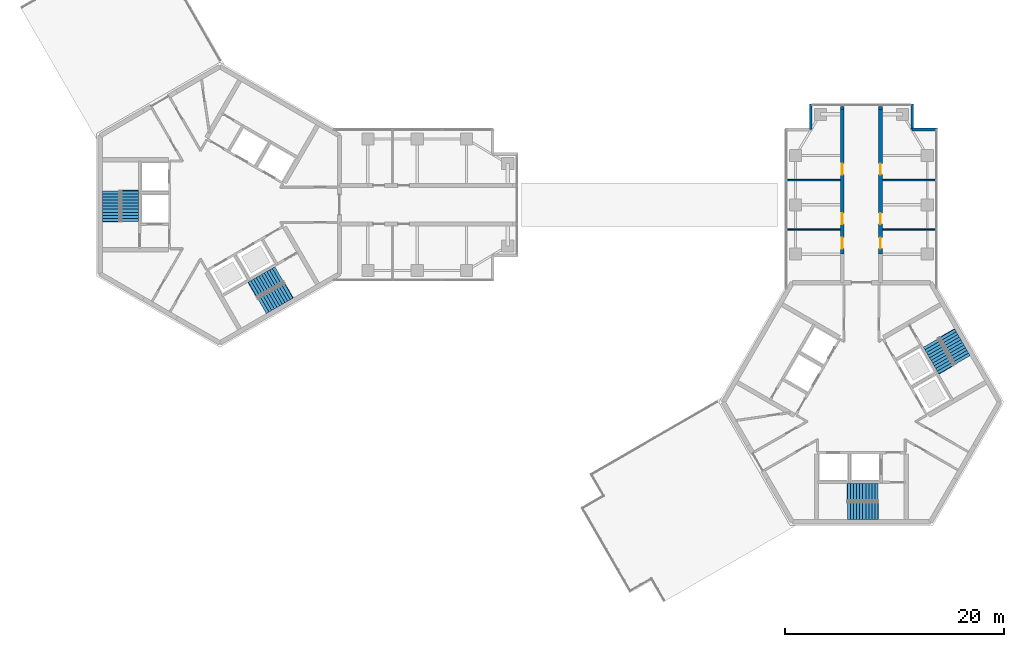
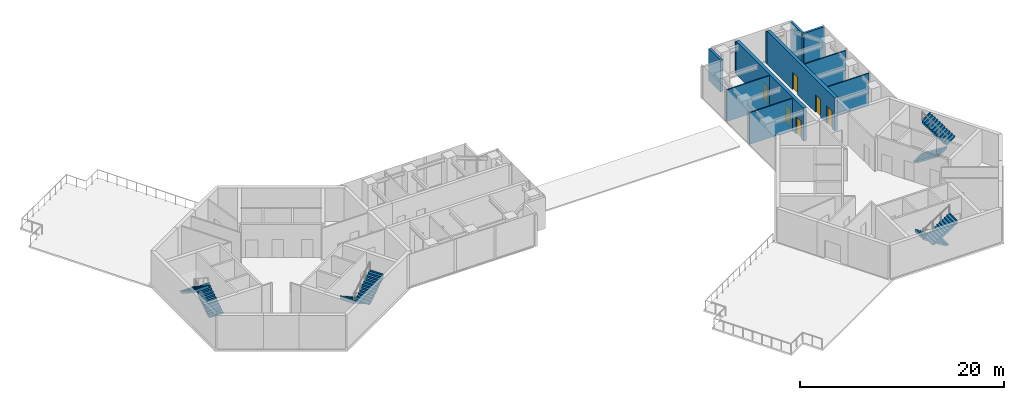
# One storey, part 9 of 11: 11 walls, 8 stair flights, 6 doors, 6 openings, 4 elements without a shape of their own.
"""IFC4 building model written with IfcOpenShell, lengths in metres."""

from ifc_helpers import new_model, si_unit, direction, frame, frame_2d, origin, place, context, subcontext, project, spatial, polyline, rectangle, outline, extrude, material, layer, layer_set, type_object, element, fill, aggregate, save


model = new_model("IFC4")

# Units and contexts
model_context = context("Model", 3, precision=1e-05, world=origin(), true_north=direction((0.0, 1.0)))
body_context = subcontext(model_context, "Body", "Model", "MODEL_VIEW")
ifc_project = project(units=[si_unit("LENGTHUNIT", "METRE"), si_unit("AREAUNIT", "SQUARE_METRE"), si_unit("VOLUMEUNIT", "CUBIC_METRE"), si_unit("PLANEANGLEUNIT", "RADIAN"), si_unit("MASSUNIT", "GRAM", prefix="KILO")], contexts=[model_context])

# Site, building, storey
site_placement = place(None, origin())
site = spatial("IfcSite", under=ifc_project, at=site_placement, CompositionType="ELEMENT")
building_placement = place(site_placement, origin())
building = spatial("IfcBuilding", under=site, at=building_placement, Name="Upepo Twin Towers", CompositionType="ELEMENT")
storey_placement = place(building_placement, frame((0.0, 0.0, 243.5)))
storey = spatial("IfcBuildingStorey", under=building, at=storey_placement, Name="L59", CompositionType="ELEMENT", Elevation=243.5)

# Walls
ifc_material_1 = material(Name="Dense concrete blockwork", Category="masonry")
ifc_layer_1 = layer(ifc_material_1, 0.35009765625)
ifc_layer_set_1 = layer_set([ifc_layer_1], Name="Buttress closer 350, blockwork with fire-stopping to the curtain wall")
wall_type_1 = type_object("IfcWallType", Name="Buttress closer 350, blockwork with fire-stopping to the curtain wall", PredefinedType="PARTITIONING", material=ifc_layer_set_1)
for number, where, z_axis, x_axis, name in (
    (1, (56.75, 8.699951171875, 0.0), (0.0, 0.0, 1.0), (0.0, 1.0, 0.0), "T2 L59 wing A buttress closer L"),
    (2, (60.25, 8.699951171875, 0.0), (0.0, 0.0, 1.0), (0.0, 1.0, 0.0), "T2 L59 wing A buttress closer R"),
):
    element("IfcWall", number, at=place(storey_placement, frame(where, z_axis=z_axis, x_axis=x_axis)), inside=storey, type_object=wall_type_1, Name=name, PredefinedType="PARTITIONING", context=body_context, shape_type="SweptSolid", body=[
        extrude(rectangle(XDim=0.275146484375, YDim=0.35009765625, at=frame_2d((0.1376953125, 0.0))), origin(), (0.0, 0.0, 1.0), 3.800048828125),
    ])

# Wall, openings, doors
ifc_material_2 = material(Name="Concrete C60/75", Category="concrete")
ifc_layer_2 = layer(ifc_material_2, 0.35009765625)
ifc_layer_set_2 = layer_set([ifc_layer_2], Name="Concrete C60/75")
wall_type_2 = type_object("IfcWallType", Name="Buttress wall 350 RC", PredefinedType="SHEAR", material=ifc_layer_set_2)
wall_1_placement = place(storey_placement, frame((56.75, -4.5, 0.0), z_axis=(0.0, 0.0, 1.0), x_axis=(0.0, 1.0, 0.0)))
wall_1 = element("IfcWall", 3, at=wall_1_placement, inside=storey, type_object=wall_type_2, Name="T2 wing A buttress wall L part 2", PredefinedType="SHEAR", context=body_context, shape_type="SweptSolid", body=[
    extrude(rectangle(XDim=13.199951171875, YDim=0.35009765625, at=frame_2d((6.60009765625, 0.0))), origin(), (0.0, 0.0, 1.0), 4.0),
])
opening_1_placement = place(wall_1_placement, frame((0.5, 0.0, 0.0)))
opening_1 = element("IfcOpeningElement", 4, at=opening_1_placement, cuts=wall_1, Name="Opening D15", PredefinedType="OPENING", context=body_context, shape_type="SweptSolid", body=[
    extrude(rectangle(XDim=1.0, YDim=2.10009765625, at=frame_2d((0.5, 1.050048828125))), frame((0.0, 0.18505859375, 0.0), z_axis=(0.0, -1.0, 0.0), x_axis=(1.0, 0.0, 0.0)), (0.0, 0.0, 1.0), 0.3701171875),
])
opening_2_placement = place(wall_1_placement, frame((2.75, 0.0, 0.0)))
opening_2 = element("IfcOpeningElement", 5, at=opening_2_placement, cuts=wall_1, Name="Opening D15", PredefinedType="OPENING", context=body_context, shape_type="SweptSolid", body=[
    extrude(rectangle(XDim=1.0, YDim=2.10009765625, at=frame_2d((0.5, 1.050048828125))), frame((0.0, 0.18505859375, 0.0), z_axis=(0.0, -1.0, 0.0), x_axis=(1.0, 0.0, 0.0)), (0.0, 0.0, 1.0), 0.3701171875),
])
opening_3_placement = place(wall_1_placement, frame((7.25, 0.0, 0.0)))
opening_3 = element("IfcOpeningElement", 6, at=opening_3_placement, cuts=wall_1, Name="Opening D15", PredefinedType="OPENING", context=body_context, shape_type="SweptSolid", body=[
    extrude(rectangle(XDim=1.0, YDim=2.10009765625, at=frame_2d((0.5, 1.050048828125))), frame((0.0, 0.18505859375, 0.0), z_axis=(0.0, -1.0, 0.0), x_axis=(1.0, 0.0, 0.0)), (0.0, 0.0, 1.0), 0.3701171875),
])
ifc_material_3 = material(Name="Timber doorset", Category="wood")
door_type = type_object("IfcDoorType", Name="Glazed door 1000 FD30", OperationType="SINGLE_SWING_LEFT", PredefinedType="DOOR", material=ifc_material_3)
door_1_placement = place(opening_1_placement, origin())
door_1 = element("IfcDoor", 7, at=door_1_placement, inside=storey, type_object=door_type, Name="T2 L59 faculty office door", OperationType="SINGLE_SWING_LEFT", OverallHeight=2.10009765625, OverallWidth=1.0, PredefinedType="DOOR", context=body_context, shape_type="SweptSolid", body=[
    extrude(rectangle(XDim=1.0, YDim=2.10009765625, at=frame_2d((0.5, 1.050048828125))), frame((0.0, 0.02490234375, 0.0), z_axis=(0.0, -1.0, 0.0), x_axis=(1.0, 0.0, 0.0)), (0.0, 0.0, 1.0), 0.050048828125),
])
fill(opening_1, door_1)
door_2_placement = place(opening_2_placement, origin())
door_2 = element("IfcDoor", 8, at=door_2_placement, inside=storey, type_object=door_type, Name="T2 L59 faculty office door", OperationType="SINGLE_SWING_LEFT", OverallHeight=2.10009765625, OverallWidth=1.0, PredefinedType="DOOR", context=body_context, shape_type="SweptSolid", body=[
    extrude(rectangle(XDim=1.0, YDim=2.10009765625, at=frame_2d((0.5, 1.050048828125))), frame((0.0, 0.02490234375, 0.0), z_axis=(0.0, -1.0, 0.0), x_axis=(1.0, 0.0, 0.0)), (0.0, 0.0, 1.0), 0.050048828125),
])
fill(opening_2, door_2)
door_3_placement = place(opening_3_placement, origin())
door_3 = element("IfcDoor", 9, at=door_3_placement, inside=storey, type_object=door_type, Name="T2 L59 faculty office door", OperationType="SINGLE_SWING_RIGHT", OverallHeight=2.10009765625, OverallWidth=1.0, PredefinedType="DOOR", context=body_context, shape_type="SweptSolid", body=[
    extrude(rectangle(XDim=1.0, YDim=2.10009765625, at=frame_2d((0.5, 1.050048828125))), frame((0.0, 0.02490234375, 0.0), z_axis=(0.0, -1.0, 0.0), x_axis=(1.0, 0.0, 0.0)), (0.0, 0.0, 1.0), 0.050048828125),
])
fill(opening_3, door_3)

wall_2_placement = place(storey_placement, frame((60.25, -4.5, 0.0), z_axis=(0.0, 0.0, 1.0), x_axis=(0.0, 1.0, 0.0)))
wall_2 = element("IfcWall", 10, at=wall_2_placement, inside=storey, type_object=wall_type_2, Name="T2 wing A buttress wall R part 2", PredefinedType="SHEAR", context=body_context, shape_type="SweptSolid", body=[
    extrude(rectangle(XDim=13.199951171875, YDim=0.35009765625, at=frame_2d((6.60009765625, 0.0))), origin(), (0.0, 0.0, 1.0), 4.0),
])
opening_4_placement = place(wall_2_placement, frame((0.5, 0.0, 0.0)))
opening_4 = element("IfcOpeningElement", 11, at=opening_4_placement, cuts=wall_2, Name="Opening D15", PredefinedType="OPENING", context=body_context, shape_type="SweptSolid", body=[
    extrude(rectangle(XDim=1.0, YDim=2.10009765625, at=frame_2d((0.5, 1.050048828125))), frame((0.0, 0.18505859375, 0.0), z_axis=(0.0, -1.0, 0.0), x_axis=(1.0, 0.0, 0.0)), (0.0, 0.0, 1.0), 0.3701171875),
])
opening_5_placement = place(wall_2_placement, frame((2.75, 0.0, 0.0)))
opening_5 = element("IfcOpeningElement", 12, at=opening_5_placement, cuts=wall_2, Name="Opening D15", PredefinedType="OPENING", context=body_context, shape_type="SweptSolid", body=[
    extrude(rectangle(XDim=1.0, YDim=2.10009765625, at=frame_2d((0.5, 1.050048828125))), frame((0.0, 0.18505859375, 0.0), z_axis=(0.0, -1.0, 0.0), x_axis=(1.0, 0.0, 0.0)), (0.0, 0.0, 1.0), 0.3701171875),
])
opening_6_placement = place(wall_2_placement, frame((7.25, 0.0, 0.0)))
opening_6 = element("IfcOpeningElement", 13, at=opening_6_placement, cuts=wall_2, Name="Opening D15", PredefinedType="OPENING", context=body_context, shape_type="SweptSolid", body=[
    extrude(rectangle(XDim=1.0, YDim=2.10009765625, at=frame_2d((0.5, 1.050048828125))), frame((0.0, 0.18505859375, 0.0), z_axis=(0.0, -1.0, 0.0), x_axis=(1.0, 0.0, 0.0)), (0.0, 0.0, 1.0), 0.3701171875),
])
door_4_placement = place(opening_4_placement, origin())
door_4 = element("IfcDoor", 14, at=door_4_placement, inside=storey, type_object=door_type, Name="T2 L59 faculty office door", OperationType="SINGLE_SWING_LEFT", OverallHeight=2.10009765625, OverallWidth=1.0, PredefinedType="DOOR", context=body_context, shape_type="SweptSolid", body=[
    extrude(rectangle(XDim=1.0, YDim=2.10009765625, at=frame_2d((0.5, 1.050048828125))), frame((0.0, 0.02490234375, 0.0), z_axis=(0.0, -1.0, 0.0), x_axis=(1.0, 0.0, 0.0)), (0.0, 0.0, 1.0), 0.050048828125),
])
fill(opening_4, door_4)
door_5_placement = place(opening_5_placement, origin())
door_5 = element("IfcDoor", 15, at=door_5_placement, inside=storey, type_object=door_type, Name="T2 L59 faculty office door", OperationType="SINGLE_SWING_LEFT", OverallHeight=2.10009765625, OverallWidth=1.0, PredefinedType="DOOR", context=body_context, shape_type="SweptSolid", body=[
    extrude(rectangle(XDim=1.0, YDim=2.10009765625, at=frame_2d((0.5, 1.050048828125))), frame((0.0, 0.02490234375, 0.0), z_axis=(0.0, -1.0, 0.0), x_axis=(1.0, 0.0, 0.0)), (0.0, 0.0, 1.0), 0.050048828125),
])
fill(opening_5, door_5)
door_6_placement = place(opening_6_placement, origin())
door_6 = element("IfcDoor", 16, at=door_6_placement, inside=storey, type_object=door_type, Name="T2 L59 faculty office door", OperationType="SINGLE_SWING_RIGHT", OverallHeight=2.10009765625, OverallWidth=1.0, PredefinedType="DOOR", context=body_context, shape_type="SweptSolid", body=[
    extrude(rectangle(XDim=1.0, YDim=2.10009765625, at=frame_2d((0.5, 1.050048828125))), frame((0.0, 0.02490234375, 0.0), z_axis=(0.0, -1.0, 0.0), x_axis=(1.0, 0.0, 0.0)), (0.0, 0.0, 1.0), 0.050048828125),
])
fill(opening_6, door_6)

# Walls
ifc_material_4 = material(Name="Laminated glass in an aluminium frame", Category="aluminium")
ifc_layer_3 = layer(ifc_material_4, 0.1201171875)
ifc_layer_set_3 = layer_set([ifc_layer_3], Name="Glazed partition 120, aluminium framed")
wall_type_3 = type_object("IfcWallType", Name="Glazed partition 120, aluminium framed", PredefinedType="PARTITIONING", material=ifc_layer_set_3)
for number, where, z_axis, x_axis, name in (
    (17, (56.574951171875, -2.25, 0.0), (0.0, 0.0, 1.0), (-1.0, 0.0, 0.0), "T2 partition AL at 15.75"),
    (18, (56.574951171875, 2.25, 0.0), (0.0, 0.0, 1.0), (-1.0, 0.0, 0.0), "T2 partition AL at 20.25"),
    (19, (60.425048828125, -2.25, 0.0), (0.0, 0.0, 1.0), (1.0, 0.0, 0.0), "T2 partition AR at 15.75"),
    (20, (60.425048828125, 2.25, 0.0), (0.0, 0.0, 1.0), (1.0, 0.0, 0.0), "T2 partition AR at 20.25"),
):
    element("IfcWall", number, at=place(storey_placement, frame(where, z_axis=z_axis, x_axis=x_axis)), inside=storey, type_object=wall_type_3, Name=name, PredefinedType="PARTITIONING", context=body_context, shape_type="SweptSolid", body=[
        extrude(rectangle(XDim=4.824951171875, YDim=0.1201171875, at=frame_2d((2.41259765625, 0.0))), origin(), (0.0, 0.0, 1.0), 3.800048828125),
    ])
ifc_material_5 = material(Name="Blockwork with anodised aluminium cladding", Category="masonry")
ifc_layer_4 = layer(ifc_material_5, 0.25)
ifc_layer_set_4 = layer_set([ifc_layer_4], Name="Notch cladding wall 250, pale metal")
wall_type_4 = type_object("IfcWallType", Name="Notch cladding wall 250, pale metal", PredefinedType="STANDARD", material=ifc_layer_set_4)
for number, where, z_axis, x_axis, name in (
    (21, (53.875, 6.875, 0.0), (0.0, 0.0, 1.0), (0.0, 1.0, 0.0), "T2 L59 wing A notch wall L2"),
    (22, (65.449951171875, 6.875, 0.0), (0.0, 0.0, 1.0), (-1.0, 0.0, 0.0), "T2 L59 wing A notch wall R1"),
    (23, (63.125, 6.875, 0.0), (0.0, 0.0, 1.0), (0.0, 1.0, 0.0), "T2 L59 wing A notch wall R2"),
):
    element("IfcWall", number, at=place(storey_placement, frame(where, z_axis=z_axis, x_axis=x_axis)), inside=storey, type_object=wall_type_4, Name=name, PredefinedType="STANDARD", context=body_context, shape_type="SweptSolid", body=[
        extrude(rectangle(XDim=2.324951171875, YDim=0.25, at=frame_2d((1.16259765625, 0.0))), origin(), (0.0, 0.0, 1.0), 3.800048828125),
    ])

# Stair, stair flights
ifc_material_6 = material(Name="Concrete C40/50", Category="concrete")
stair_type = type_object("IfcStairType", Name="Core stair, two flights", PredefinedType="HALF_TURN_STAIR", material=ifc_material_6)
stair_1_placement = place(storey_placement, origin())
stair_1 = element("IfcStair", 24, at=stair_1_placement, inside=storey, type_object=stair_type, Name="T1 stair S1 L59", PredefinedType="HALF_TURN_STAIR")
ifc_material_7 = material(Name="Concrete C40/50", Category="concrete")
stair_flight_type = type_object("IfcStairFlightType", Name="Stair flight 1600 RC", PredefinedType="STRAIGHT", material=ifc_material_7)
stair_flight_1_placement = place(storey_placement, frame((-8.199951171875, -1.52001953125, 0.0), z_axis=(0.0, 0.0, 1.0), x_axis=(0.0, 1.0, 0.0)))
stair_flight_1 = element("IfcStairFlight", 25, at=stair_flight_1_placement, type_object=stair_flight_type, Name="Stair S1 flight 1", NumberOfRisers=11, NumberOfTreads=10, PredefinedType="STRAIGHT", RiserHeight=0.181818182, TreadLength=0.28, context=body_context, shape_type="SweptSolid", body=[
    extrude(outline(polyline([(0.0, 0.0), (0.0, 0.181884765625), (0.280029296875, 0.181884765625), (0.280029296875, 0.363525390625), (0.56005859375, 0.363525390625), (0.56005859375, 0.54541015625), (0.840087890625, 0.54541015625), (0.840087890625, 0.727294921875), (1.1201171875, 0.727294921875), (1.1201171875, 0.9091796875), (1.39990234375, 0.9091796875), (1.39990234375, 1.0908203125), (1.679931640625, 1.0908203125), (1.679931640625, 1.272705078125), (1.9599609375, 1.272705078125), (1.9599609375, 1.45458984375), (2.239990234375, 1.45458984375), (2.239990234375, 1.636474609375), (2.52001953125, 1.636474609375), (2.52001953125, 1.818115234375), (2.800048828125, 1.818115234375), (2.800048828125, 2.0), (2.85009765625, 2.0), (2.85009765625, 1.639404296875), (0.3251953125, 0.0), (0.0, 0.0)])), frame((0.0, 0.800048828125, 0.0), z_axis=(0.0, -1.0, 0.0), x_axis=(1.0, 0.0, 0.0)), (0.0, 0.0, 1.0), 1.60009765625),
])
stair_flight_2_placement = place(storey_placement, frame((-9.908447265625, 1.280029296875, 2.0), z_axis=(0.0, 0.0, 1.0), x_axis=(0.0, -1.0, 0.0)))
stair_flight_2 = element("IfcStairFlight", 26, at=stair_flight_2_placement, type_object=stair_flight_type, Name="Stair S1 flight 2", NumberOfRisers=11, NumberOfTreads=10, PredefinedType="STRAIGHT", RiserHeight=0.181818182, TreadLength=0.28, context=body_context, shape_type="SweptSolid", body=[
    extrude(outline(polyline([(0.0, 0.0), (0.0, 0.181884765625), (0.280029296875, 0.181884765625), (0.280029296875, 0.363525390625), (0.56005859375, 0.363525390625), (0.56005859375, 0.54541015625), (0.840087890625, 0.54541015625), (0.840087890625, 0.727294921875), (1.1201171875, 0.727294921875), (1.1201171875, 0.9091796875), (1.39990234375, 0.9091796875), (1.39990234375, 1.0908203125), (1.679931640625, 1.0908203125), (1.679931640625, 1.272705078125), (1.9599609375, 1.272705078125), (1.9599609375, 1.45458984375), (2.239990234375, 1.45458984375), (2.239990234375, 1.636474609375), (2.52001953125, 1.636474609375), (2.52001953125, 1.818115234375), (2.800048828125, 1.818115234375), (2.800048828125, 2.0), (2.85009765625, 2.0), (2.85009765625, 1.639404296875), (0.3251953125, 0.0), (0.0, 0.0)])), frame((0.0, 0.800048828125, 0.0), z_axis=(0.0, -1.0, 0.0), x_axis=(1.0, 0.0, 0.0)), (0.0, 0.0, 1.0), 1.60009765625),
])
aggregate(stair_1, [stair_flight_1, stair_flight_2])

stair_2_placement = place(storey_placement, origin())
stair_2 = element("IfcStair", 27, at=stair_2_placement, inside=storey, type_object=stair_type, Name="T1 stair S2 L59", PredefinedType="HALF_TURN_STAIR")
stair_flight_3_placement = place(storey_placement, frame((5.416259765625, -6.34130859375, 0.0), z_axis=(0.0, 0.0, 1.0), x_axis=(-0.866025403784, -0.5, 0.0)))
stair_flight_3 = element("IfcStairFlight", 28, at=stair_flight_3_placement, type_object=stair_flight_type, Name="Stair S2 flight 1", NumberOfRisers=11, NumberOfTreads=10, PredefinedType="STRAIGHT", RiserHeight=0.181818182, TreadLength=0.28, context=body_context, shape_type="SweptSolid", body=[
    extrude(outline(polyline([(0.0, 0.0), (0.0, 0.181884765625), (0.280029296875, 0.181884765625), (0.280029296875, 0.363525390625), (0.56005859375, 0.363525390625), (0.56005859375, 0.54541015625), (0.840087890625, 0.54541015625), (0.840087890625, 0.727294921875), (1.1201171875, 0.727294921875), (1.1201171875, 0.9091796875), (1.39990234375, 0.9091796875), (1.39990234375, 1.0908203125), (1.679931640625, 1.0908203125), (1.679931640625, 1.272705078125), (1.9599609375, 1.272705078125), (1.9599609375, 1.45458984375), (2.239990234375, 1.45458984375), (2.239990234375, 1.636474609375), (2.52001953125, 1.636474609375), (2.52001953125, 1.818115234375), (2.800048828125, 1.818115234375), (2.800048828125, 2.0), (2.85009765625, 2.0), (2.85009765625, 1.639404296875), (0.3251953125, 0.0), (0.0, 0.0)])), frame((0.0, 0.800048828125, 0.0), z_axis=(0.0, -1.0, 0.0), x_axis=(1.0, 0.0, 0.0)), (0.0, 0.0, 1.0), 1.60009765625),
])
stair_flight_4_placement = place(storey_placement, frame((3.845703125, -9.220947265625, 2.0), z_axis=(0.0, 0.0, 1.0), x_axis=(0.866025403784, 0.5, 0.0)))
stair_flight_4 = element("IfcStairFlight", 29, at=stair_flight_4_placement, type_object=stair_flight_type, Name="Stair S2 flight 2", NumberOfRisers=11, NumberOfTreads=10, PredefinedType="STRAIGHT", RiserHeight=0.181818182, TreadLength=0.28, context=body_context, shape_type="SweptSolid", body=[
    extrude(outline(polyline([(0.0, 0.0), (0.0, 0.181884765625), (0.280029296875, 0.181884765625), (0.280029296875, 0.363525390625), (0.56005859375, 0.363525390625), (0.56005859375, 0.54541015625), (0.840087890625, 0.54541015625), (0.840087890625, 0.727294921875), (1.1201171875, 0.727294921875), (1.1201171875, 0.9091796875), (1.39990234375, 0.9091796875), (1.39990234375, 1.0908203125), (1.679931640625, 1.0908203125), (1.679931640625, 1.272705078125), (1.9599609375, 1.272705078125), (1.9599609375, 1.45458984375), (2.239990234375, 1.45458984375), (2.239990234375, 1.636474609375), (2.52001953125, 1.636474609375), (2.52001953125, 1.818115234375), (2.800048828125, 1.818115234375), (2.800048828125, 2.0), (2.85009765625, 2.0), (2.85009765625, 1.639404296875), (0.3251953125, 0.0), (0.0, 0.0)])), frame((0.0, 0.800048828125, 0.0), z_axis=(0.0, -1.0, 0.0), x_axis=(1.0, 0.0, 0.0)), (0.0, 0.0, 1.0), 1.60009765625),
])
aggregate(stair_2, [stair_flight_3, stair_flight_4])

stair_3_placement = place(storey_placement, origin())
stair_3 = element("IfcStair", 30, at=stair_3_placement, inside=storey, type_object=stair_type, Name="T2 stair S1 L59", PredefinedType="HALF_TURN_STAIR")
stair_flight_5_placement = place(storey_placement, frame((60.02001953125, -26.199951171875, 0.0), z_axis=(0.0, 0.0, 1.0), x_axis=(-1.0, 0.0, 0.0)))
stair_flight_5 = element("IfcStairFlight", 31, at=stair_flight_5_placement, type_object=stair_flight_type, Name="Stair S1 flight 1", NumberOfRisers=11, NumberOfTreads=10, PredefinedType="STRAIGHT", RiserHeight=0.181818182, TreadLength=0.28, context=body_context, shape_type="SweptSolid", body=[
    extrude(outline(polyline([(0.0, 0.0), (0.0, 0.181884765625), (0.280029296875, 0.181884765625), (0.280029296875, 0.363525390625), (0.56005859375, 0.363525390625), (0.56005859375, 0.54541015625), (0.840087890625, 0.54541015625), (0.840087890625, 0.727294921875), (1.1201171875, 0.727294921875), (1.1201171875, 0.9091796875), (1.39990234375, 0.9091796875), (1.39990234375, 1.0908203125), (1.679931640625, 1.0908203125), (1.679931640625, 1.272705078125), (1.9599609375, 1.272705078125), (1.9599609375, 1.45458984375), (2.239990234375, 1.45458984375), (2.239990234375, 1.636474609375), (2.52001953125, 1.636474609375), (2.52001953125, 1.818115234375), (2.800048828125, 1.818115234375), (2.800048828125, 2.0), (2.85009765625, 2.0), (2.85009765625, 1.639404296875), (0.3251953125, 0.0), (0.0, 0.0)])), frame((0.0, 0.800048828125, 0.0), z_axis=(0.0, -1.0, 0.0), x_axis=(1.0, 0.0, 0.0)), (0.0, 0.0, 1.0), 1.60009765625),
])
stair_flight_6_placement = place(storey_placement, frame((57.219970703125, -27.908447265625, 2.0), z_axis=(0.0, 0.0, 1.0), x_axis=(1.0, 0.0, 0.0)))
stair_flight_6 = element("IfcStairFlight", 32, at=stair_flight_6_placement, type_object=stair_flight_type, Name="Stair S1 flight 2", NumberOfRisers=11, NumberOfTreads=10, PredefinedType="STRAIGHT", RiserHeight=0.181818182, TreadLength=0.28, context=body_context, shape_type="SweptSolid", body=[
    extrude(outline(polyline([(0.0, 0.0), (0.0, 0.181884765625), (0.280029296875, 0.181884765625), (0.280029296875, 0.363525390625), (0.56005859375, 0.363525390625), (0.56005859375, 0.54541015625), (0.840087890625, 0.54541015625), (0.840087890625, 0.727294921875), (1.1201171875, 0.727294921875), (1.1201171875, 0.9091796875), (1.39990234375, 0.9091796875), (1.39990234375, 1.0908203125), (1.679931640625, 1.0908203125), (1.679931640625, 1.272705078125), (1.9599609375, 1.272705078125), (1.9599609375, 1.45458984375), (2.239990234375, 1.45458984375), (2.239990234375, 1.636474609375), (2.52001953125, 1.636474609375), (2.52001953125, 1.818115234375), (2.800048828125, 1.818115234375), (2.800048828125, 2.0), (2.85009765625, 2.0), (2.85009765625, 1.639404296875), (0.3251953125, 0.0), (0.0, 0.0)])), frame((0.0, 0.800048828125, 0.0), z_axis=(0.0, -1.0, 0.0), x_axis=(1.0, 0.0, 0.0)), (0.0, 0.0, 1.0), 1.60009765625),
])
aggregate(stair_3, [stair_flight_5, stair_flight_6])

stair_4_placement = place(storey_placement, origin())
stair_4 = element("IfcStair", 33, at=stair_4_placement, inside=storey, type_object=stair_type, Name="T2 stair S2 L59", PredefinedType="HALF_TURN_STAIR")
stair_flight_7_placement = place(storey_placement, frame((64.84130859375, -12.583740234375, 0.0), z_axis=(0.0, 0.0, 1.0), x_axis=(0.5, -0.866025403784, 0.0)))
stair_flight_7 = element("IfcStairFlight", 34, at=stair_flight_7_placement, type_object=stair_flight_type, Name="Stair S2 flight 1", NumberOfRisers=11, NumberOfTreads=10, PredefinedType="STRAIGHT", RiserHeight=0.181818182, TreadLength=0.28, context=body_context, shape_type="SweptSolid", body=[
    extrude(outline(polyline([(0.0, 0.0), (0.0, 0.181884765625), (0.280029296875, 0.181884765625), (0.280029296875, 0.363525390625), (0.56005859375, 0.363525390625), (0.56005859375, 0.54541015625), (0.840087890625, 0.54541015625), (0.840087890625, 0.727294921875), (1.1201171875, 0.727294921875), (1.1201171875, 0.9091796875), (1.39990234375, 0.9091796875), (1.39990234375, 1.0908203125), (1.679931640625, 1.0908203125), (1.679931640625, 1.272705078125), (1.9599609375, 1.272705078125), (1.9599609375, 1.45458984375), (2.239990234375, 1.45458984375), (2.239990234375, 1.636474609375), (2.52001953125, 1.636474609375), (2.52001953125, 1.818115234375), (2.800048828125, 1.818115234375), (2.800048828125, 2.0), (2.85009765625, 2.0), (2.85009765625, 1.639404296875), (0.3251953125, 0.0), (0.0, 0.0)])), frame((0.0, 0.800048828125, 0.0), z_axis=(0.0, -1.0, 0.0), x_axis=(1.0, 0.0, 0.0)), (0.0, 0.0, 1.0), 1.60009765625),
])
stair_flight_8_placement = place(storey_placement, frame((67.720947265625, -14.154296875, 2.0), z_axis=(0.0, 0.0, 1.0), x_axis=(-0.5, 0.866025403784, 0.0)))
stair_flight_8 = element("IfcStairFlight", 35, at=stair_flight_8_placement, type_object=stair_flight_type, Name="Stair S2 flight 2", NumberOfRisers=11, NumberOfTreads=10, PredefinedType="STRAIGHT", RiserHeight=0.181818182, TreadLength=0.28, context=body_context, shape_type="SweptSolid", body=[
    extrude(outline(polyline([(0.0, 0.0), (0.0, 0.181884765625), (0.280029296875, 0.181884765625), (0.280029296875, 0.363525390625), (0.56005859375, 0.363525390625), (0.56005859375, 0.54541015625), (0.840087890625, 0.54541015625), (0.840087890625, 0.727294921875), (1.1201171875, 0.727294921875), (1.1201171875, 0.9091796875), (1.39990234375, 0.9091796875), (1.39990234375, 1.0908203125), (1.679931640625, 1.0908203125), (1.679931640625, 1.272705078125), (1.9599609375, 1.272705078125), (1.9599609375, 1.45458984375), (2.239990234375, 1.45458984375), (2.239990234375, 1.636474609375), (2.52001953125, 1.636474609375), (2.52001953125, 1.818115234375), (2.800048828125, 1.818115234375), (2.800048828125, 2.0), (2.85009765625, 2.0), (2.85009765625, 1.639404296875), (0.3251953125, 0.0), (0.0, 0.0)])), frame((0.0, 0.800048828125, 0.0), z_axis=(0.0, -1.0, 0.0), x_axis=(1.0, 0.0, 0.0)), (0.0, 0.0, 1.0), 1.60009765625),
])
aggregate(stair_4, [stair_flight_7, stair_flight_8])

save(model, "model.ifc")
